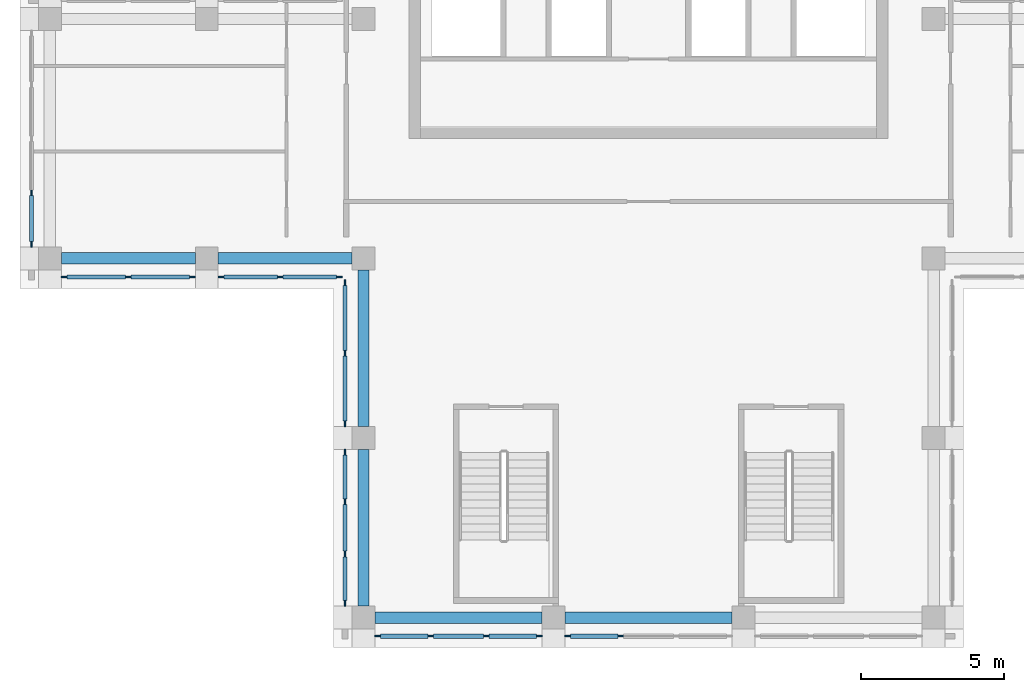
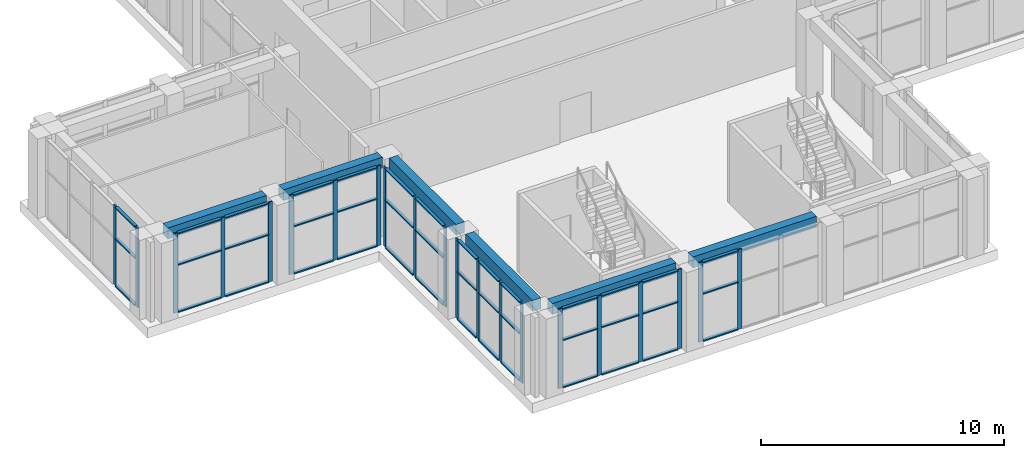
# One storey, part 2 of 14: 63 members, 6 beams, 7 elements without a shape of their own.
"""IFC4 building model written with IfcOpenShell, lengths in metres."""

from ifc_helpers import new_model, si_unit, direction, frame, origin, origin_2d, place, context, subcontext, project, spatial, rectangle, extrude, material, material_profile, profile_set, type_object, element, aggregate, save


model = new_model("IFC4")

# Units and contexts
model_context = context("Model", 3, precision=1e-05, world=origin(), true_north=direction((0.0, 1.0)))
body_context = subcontext(model_context, "Body", "Model", "MODEL_VIEW")
ifc_project = project(units=[si_unit("LENGTHUNIT", "METRE"), si_unit("AREAUNIT", "SQUARE_METRE"), si_unit("VOLUMEUNIT", "CUBIC_METRE"), si_unit("PLANEANGLEUNIT", "RADIAN"), si_unit("MASSUNIT", "GRAM", prefix="KILO")], contexts=[model_context])

# Site, building, storey
site_placement = place(None, origin())
site = spatial("IfcSite", under=ifc_project, at=site_placement, CompositionType="ELEMENT")
building_placement = place(site_placement, origin())
building = spatial("IfcBuilding", under=site, at=building_placement, Name="Vermilion Ogive Tower", CompositionType="ELEMENT")
storey_placement = place(building_placement, frame((0.0, 0.0, 289.35009765625)))
storey = spatial("IfcBuildingStorey", under=building, at=storey_placement, Name="L75", CompositionType="ELEMENT", Elevation=289.35009765625)

# Curtain wall, members
ifc_material_1 = material(Name="Low-iron laminated glazing in aluminium frame", Category="aluminium")
curtain_wall_type = type_object("IfcCurtainWallType", Name="Curtain wall CW3", PredefinedType="NOTDEFINED", material=ifc_material_1)
curtain_wall_1_placement = place(storey_placement, origin())
curtain_wall_1 = element("IfcCurtainWall", 1, at=curtain_wall_1_placement, inside=storey, type_object=curtain_wall_type, Name="CW3 glazing S1", PredefinedType="NOTDEFINED")
ifc_material_2 = material(Name="Aluminium mullion", Category="aluminium")
ifc_material_profile_1 = material_profile(ifc_material_2, rectangle(XDim=0.06005859375, YDim=0.199951171875, at=origin_2d()), Name="AL 60x200")
ifc_profile_set_1 = profile_set([ifc_material_profile_1], Name="Aluminium mullion")
member_type_1 = type_object("IfcMemberType", Name="CW3 mullion 60x200", PredefinedType="MULLION", material=ifc_profile_set_1)
member_1_placement = place(storey_placement, frame((-9.5, -13.25, 0.0), z_axis=(0.0, 0.0, 1.0), x_axis=(0.0, 1.0, 0.0)))
member_1 = element("IfcMember", 2, at=member_1_placement, type_object=member_type_1, Name="CW3-S1 mullion 1", PredefinedType="MULLION", context=body_context, shape_type="SweptSolid", body=[
    extrude(rectangle(XDim=0.06005859375, YDim=0.199951171875, at=origin_2d()), origin(), (0.0, 0.0, 1.0), 4.0),
])
member_2_placement = place(storey_placement, frame((-7.64453125, -13.25, 0.0), z_axis=(0.0, 0.0, 1.0), x_axis=(0.0, 1.0, 0.0)))
member_2 = element("IfcMember", 3, at=member_2_placement, type_object=member_type_1, Name="CW3-S1 mullion 2", PredefinedType="MULLION", context=body_context, shape_type="SweptSolid", body=[
    extrude(rectangle(XDim=0.06005859375, YDim=0.199951171875, at=origin_2d()), origin(), (0.0, 0.0, 1.0), 4.0),
])
member_3_placement = place(storey_placement, frame((-5.68896484375, -13.25, 0.0), z_axis=(0.0, 0.0, 1.0), x_axis=(0.0, 1.0, 0.0)))
member_3 = element("IfcMember", 4, at=member_3_placement, type_object=member_type_1, Name="CW3-S1 mullion 3", PredefinedType="MULLION", context=body_context, shape_type="SweptSolid", body=[
    extrude(rectangle(XDim=0.06005859375, YDim=0.199951171875, at=origin_2d()), origin(), (0.0, 0.0, 1.0), 4.0),
])
member_4_placement = place(storey_placement, frame((-3.833251953125, -13.25, 0.0), z_axis=(0.0, 0.0, 1.0), x_axis=(0.0, 1.0, 0.0)))
member_4 = element("IfcMember", 5, at=member_4_placement, type_object=member_type_1, Name="CW3-S1 mullion 4", PredefinedType="MULLION", context=body_context, shape_type="SweptSolid", body=[
    extrude(rectangle(XDim=0.06005859375, YDim=0.199951171875, at=origin_2d()), origin(), (0.0, 0.0, 1.0), 4.0),
])

curtain_wall_2_placement = place(storey_placement, origin())
curtain_wall_2 = element("IfcCurtainWall", 6, at=curtain_wall_2_placement, inside=storey, type_object=curtain_wall_type, Name="CW3 glazing S2", PredefinedType="NOTDEFINED")
member_5_placement = place(storey_placement, frame((-2.833251953125, -13.25, 0.0), z_axis=(0.0, 0.0, 1.0), x_axis=(0.0, 1.0, 0.0)))
member_5 = element("IfcMember", 7, at=member_5_placement, type_object=member_type_1, Name="CW3-S2 mullion 1", PredefinedType="MULLION", context=body_context, shape_type="SweptSolid", body=[
    extrude(rectangle(XDim=0.06005859375, YDim=0.199951171875, at=origin_2d()), origin(), (0.0, 0.0, 1.0), 4.0),
])
member_6_placement = place(storey_placement, frame((-0.977783203125, -13.25, 0.0), z_axis=(0.0, 0.0, 1.0), x_axis=(0.0, 1.0, 0.0)))
member_6 = element("IfcMember", 8, at=member_6_placement, type_object=member_type_1, Name="CW3-S2 mullion 2", PredefinedType="MULLION", context=body_context, shape_type="SweptSolid", body=[
    extrude(rectangle(XDim=0.06005859375, YDim=0.199951171875, at=origin_2d()), origin(), (0.0, 0.0, 1.0), 4.0),
])

curtain_wall_3_placement = place(storey_placement, origin())
curtain_wall_3 = element("IfcCurtainWall", 9, at=curtain_wall_3_placement, inside=storey, type_object=curtain_wall_type, Name="CW3 glazing W1", PredefinedType="NOTDEFINED")
member_7_placement = place(storey_placement, frame((-21.64990234375, 2.300048828125, 0.0), z_axis=(0.0, 0.0, 1.0), x_axis=(1.0, 0.0, 0.0)))
member_7 = element("IfcMember", 10, at=member_7_placement, type_object=member_type_1, Name="CW3-W1 mullion 4", PredefinedType="MULLION", context=body_context, shape_type="SweptSolid", body=[
    extrude(rectangle(XDim=0.06005859375, YDim=0.199951171875, at=origin_2d()), origin(), (0.0, 0.0, 1.0), 4.0),
])
member_8_placement = place(storey_placement, frame((-21.64990234375, 0.5, 0.0), z_axis=(0.0, 0.0, 1.0), x_axis=(1.0, 0.0, 0.0)))
member_8 = element("IfcMember", 11, at=member_8_placement, type_object=member_type_1, Name="CW3-W1 mullion 5", PredefinedType="MULLION", context=body_context, shape_type="SweptSolid", body=[
    extrude(rectangle(XDim=0.06005859375, YDim=0.199951171875, at=origin_2d()), origin(), (0.0, 0.0, 1.0), 4.0),
])

curtain_wall_4_placement = place(storey_placement, origin())
curtain_wall_4 = element("IfcCurtainWall", 12, at=curtain_wall_4_placement, inside=storey, type_object=curtain_wall_type, Name="CW3 glazing X71", PredefinedType="NOTDEFINED")
member_9_placement = place(storey_placement, frame((-20.5, -0.64990234375, 0.0), z_axis=(0.0, 0.0, 1.0), x_axis=(0.0, 1.0, 0.0)))
member_9 = element("IfcMember", 13, at=member_9_placement, type_object=member_type_1, Name="CW3-X71 mullion 1", PredefinedType="MULLION", context=body_context, shape_type="SweptSolid", body=[
    extrude(rectangle(XDim=0.06005859375, YDim=0.199951171875, at=origin_2d()), origin(), (0.0, 0.0, 1.0), 4.0),
])
member_10_placement = place(storey_placement, frame((-18.25, -0.64990234375, 0.0), z_axis=(0.0, 0.0, 1.0), x_axis=(0.0, 1.0, 0.0)))
member_10 = element("IfcMember", 14, at=member_10_placement, type_object=member_type_1, Name="CW3-X71 mullion 2", PredefinedType="MULLION", context=body_context, shape_type="SweptSolid", body=[
    extrude(rectangle(XDim=0.06005859375, YDim=0.199951171875, at=origin_2d()), origin(), (0.0, 0.0, 1.0), 4.0),
])
member_11_placement = place(storey_placement, frame((-16.0, -0.64990234375, 0.0), z_axis=(0.0, 0.0, 1.0), x_axis=(0.0, 1.0, 0.0)))
member_11 = element("IfcMember", 15, at=member_11_placement, type_object=member_type_1, Name="CW3-X71 mullion 3", PredefinedType="MULLION", context=body_context, shape_type="SweptSolid", body=[
    extrude(rectangle(XDim=0.06005859375, YDim=0.199951171875, at=origin_2d()), origin(), (0.0, 0.0, 1.0), 4.0),
])

curtain_wall_5_placement = place(storey_placement, origin())
curtain_wall_5 = element("IfcCurtainWall", 16, at=curtain_wall_5_placement, inside=storey, type_object=curtain_wall_type, Name="CW3 glazing X72", PredefinedType="NOTDEFINED")
member_12_placement = place(storey_placement, frame((-15.0, -0.64990234375, 0.0), z_axis=(0.0, 0.0, 1.0), x_axis=(0.0, 1.0, 0.0)))
member_12 = element("IfcMember", 17, at=member_12_placement, type_object=member_type_1, Name="CW3-X72 mullion 1", PredefinedType="MULLION", context=body_context, shape_type="SweptSolid", body=[
    extrude(rectangle(XDim=0.06005859375, YDim=0.199951171875, at=origin_2d()), origin(), (0.0, 0.0, 1.0), 4.0),
])
member_13_placement = place(storey_placement, frame((-12.925048828125, -0.64990234375, 0.0), z_axis=(0.0, 0.0, 1.0), x_axis=(0.0, 1.0, 0.0)))
member_13 = element("IfcMember", 18, at=member_13_placement, type_object=member_type_1, Name="CW3-X72 mullion 2", PredefinedType="MULLION", context=body_context, shape_type="SweptSolid", body=[
    extrude(rectangle(XDim=0.06005859375, YDim=0.199951171875, at=origin_2d()), origin(), (0.0, 0.0, 1.0), 4.0),
])
member_14_placement = place(storey_placement, frame((-10.85009765625, -0.64990234375, 0.0), z_axis=(0.0, 0.0, 1.0), x_axis=(0.0, 1.0, 0.0)))
member_14 = element("IfcMember", 19, at=member_14_placement, type_object=member_type_1, Name="CW3-X72 mullion 3", PredefinedType="MULLION", context=body_context, shape_type="SweptSolid", body=[
    extrude(rectangle(XDim=0.06005859375, YDim=0.199951171875, at=origin_2d()), origin(), (0.0, 0.0, 1.0), 4.0),
])

curtain_wall_6_placement = place(storey_placement, origin())
curtain_wall_6 = element("IfcCurtainWall", 20, at=curtain_wall_6_placement, inside=storey, type_object=curtain_wall_type, Name="CW3 glazing X81", PredefinedType="NOTDEFINED")
member_15_placement = place(storey_placement, frame((-10.64990234375, -0.85009765625, 0.0), z_axis=(0.0, 0.0, 1.0), x_axis=(1.0, 0.0, 0.0)))
member_15 = element("IfcMember", 21, at=member_15_placement, type_object=member_type_1, Name="CW3-X81 mullion 1", PredefinedType="MULLION", context=body_context, shape_type="SweptSolid", body=[
    extrude(rectangle(XDim=0.06005859375, YDim=0.199951171875, at=origin_2d()), origin(), (0.0, 0.0, 1.0), 4.0),
])
member_16_placement = place(storey_placement, frame((-10.64990234375, -3.324951171875, 0.0), z_axis=(0.0, 0.0, 1.0), x_axis=(1.0, 0.0, 0.0)))
member_16 = element("IfcMember", 22, at=member_16_placement, type_object=member_type_1, Name="CW3-X81 mullion 2", PredefinedType="MULLION", context=body_context, shape_type="SweptSolid", body=[
    extrude(rectangle(XDim=0.06005859375, YDim=0.199951171875, at=origin_2d()), origin(), (0.0, 0.0, 1.0), 4.0),
])
member_17_placement = place(storey_placement, frame((-10.64990234375, -5.800048828125, 0.0), z_axis=(0.0, 0.0, 1.0), x_axis=(1.0, 0.0, 0.0)))
member_17 = element("IfcMember", 23, at=member_17_placement, type_object=member_type_1, Name="CW3-X81 mullion 3", PredefinedType="MULLION", context=body_context, shape_type="SweptSolid", body=[
    extrude(rectangle(XDim=0.06005859375, YDim=0.199951171875, at=origin_2d()), origin(), (0.0, 0.0, 1.0), 4.0),
])

curtain_wall_7_placement = place(storey_placement, origin())
curtain_wall_7 = element("IfcCurtainWall", 24, at=curtain_wall_7_placement, inside=storey, type_object=curtain_wall_type, Name="CW3 glazing X82", PredefinedType="NOTDEFINED")
member_18_placement = place(storey_placement, frame((-10.64990234375, -6.800048828125, 0.0), z_axis=(0.0, 0.0, 1.0), x_axis=(1.0, 0.0, 0.0)))
member_18 = element("IfcMember", 25, at=member_18_placement, type_object=member_type_1, Name="CW3-X82 mullion 1", PredefinedType="MULLION", context=body_context, shape_type="SweptSolid", body=[
    extrude(rectangle(XDim=0.06005859375, YDim=0.199951171875, at=origin_2d()), origin(), (0.0, 0.0, 1.0), 4.0),
])
member_19_placement = place(storey_placement, frame((-10.64990234375, -8.533447265625, 0.0), z_axis=(0.0, 0.0, 1.0), x_axis=(1.0, 0.0, 0.0)))
member_19 = element("IfcMember", 26, at=member_19_placement, type_object=member_type_1, Name="CW3-X82 mullion 2", PredefinedType="MULLION", context=body_context, shape_type="SweptSolid", body=[
    extrude(rectangle(XDim=0.06005859375, YDim=0.199951171875, at=origin_2d()), origin(), (0.0, 0.0, 1.0), 4.0),
])
member_20_placement = place(storey_placement, frame((-10.64990234375, -10.36669921875, 0.0), z_axis=(0.0, 0.0, 1.0), x_axis=(1.0, 0.0, 0.0)))
member_20 = element("IfcMember", 27, at=member_20_placement, type_object=member_type_1, Name="CW3-X82 mullion 3", PredefinedType="MULLION", context=body_context, shape_type="SweptSolid", body=[
    extrude(rectangle(XDim=0.06005859375, YDim=0.199951171875, at=origin_2d()), origin(), (0.0, 0.0, 1.0), 4.0),
])
member_21_placement = place(storey_placement, frame((-10.64990234375, -12.10009765625, 0.0), z_axis=(0.0, 0.0, 1.0), x_axis=(1.0, 0.0, 0.0)))
member_21 = element("IfcMember", 28, at=member_21_placement, type_object=member_type_1, Name="CW3-X82 mullion 4", PredefinedType="MULLION", context=body_context, shape_type="SweptSolid", body=[
    extrude(rectangle(XDim=0.06005859375, YDim=0.199951171875, at=origin_2d()), origin(), (0.0, 0.0, 1.0), 4.0),
])

# Member
ifc_material_3 = material(Name="Aluminium transom", Category="aluminium")
ifc_material_profile_2 = material_profile(ifc_material_3, rectangle(XDim=0.14990234375, YDim=0.06005859375, at=origin_2d()), Name="AL 60x150")
ifc_profile_set_2 = profile_set([ifc_material_profile_2], Name="Aluminium transom")
member_type_2 = type_object("IfcMemberType", Name="CW3 transom 60x150", PredefinedType="USERDEFINED", material=ifc_profile_set_2)
member_22_placement = place(storey_placement, frame((-9.39990234375, -13.25, 0.02978515625), z_axis=(1.0, 0.0, 0.0), x_axis=(0.0, 1.0, 0.0)))
member_22 = element("IfcMember", 29, at=member_22_placement, type_object=member_type_2, Name="CW3-S1 transom 1.1", ObjectType="TRANSOM", PredefinedType="USERDEFINED", context=body_context, shape_type="SweptSolid", body=[
    extrude(rectangle(XDim=0.14990234375, YDim=0.06005859375, at=origin_2d()), origin(), (0.0, 0.0, 1.0), 1.655517578125),
])

member_23_placement = place(storey_placement, frame((-9.39990234375, -13.25, 2.39990234375), z_axis=(1.0, 0.0, 0.0), x_axis=(0.0, 1.0, 0.0)))
member_23 = element("IfcMember", 30, at=member_23_placement, type_object=member_type_2, Name="CW3-S1 transom 1.2", ObjectType="TRANSOM", PredefinedType="USERDEFINED", context=body_context, shape_type="SweptSolid", body=[
    extrude(rectangle(XDim=0.14990234375, YDim=0.06005859375, at=origin_2d()), origin(), (0.0, 0.0, 1.0), 1.655517578125),
])

member_24_placement = place(storey_placement, frame((-9.39990234375, -13.25, 3.969970703125), z_axis=(1.0, 0.0, 0.0), x_axis=(0.0, 1.0, 0.0)))
member_24 = element("IfcMember", 31, at=member_24_placement, type_object=member_type_2, Name="CW3-S1 transom 1.3", ObjectType="TRANSOM", PredefinedType="USERDEFINED", context=body_context, shape_type="SweptSolid", body=[
    extrude(rectangle(XDim=0.14990234375, YDim=0.06005859375, at=origin_2d()), origin(), (0.0, 0.0, 1.0), 1.655517578125),
])

member_25_placement = place(storey_placement, frame((-7.54443359375, -13.25, 0.02978515625), z_axis=(1.0, 0.0, 0.0), x_axis=(0.0, 1.0, 0.0)))
member_25 = element("IfcMember", 32, at=member_25_placement, type_object=member_type_2, Name="CW3-S1 transom 2.1", ObjectType="TRANSOM", PredefinedType="USERDEFINED", context=body_context, shape_type="SweptSolid", body=[
    extrude(rectangle(XDim=0.14990234375, YDim=0.06005859375, at=origin_2d()), origin(), (0.0, 0.0, 1.0), 1.755615234375),
])

member_26_placement = place(storey_placement, frame((-7.54443359375, -13.25, 2.39990234375), z_axis=(1.0, 0.0, 0.0), x_axis=(0.0, 1.0, 0.0)))
member_26 = element("IfcMember", 33, at=member_26_placement, type_object=member_type_2, Name="CW3-S1 transom 2.2", ObjectType="TRANSOM", PredefinedType="USERDEFINED", context=body_context, shape_type="SweptSolid", body=[
    extrude(rectangle(XDim=0.14990234375, YDim=0.06005859375, at=origin_2d()), origin(), (0.0, 0.0, 1.0), 1.755615234375),
])

member_27_placement = place(storey_placement, frame((-7.54443359375, -13.25, 3.969970703125), z_axis=(1.0, 0.0, 0.0), x_axis=(0.0, 1.0, 0.0)))
member_27 = element("IfcMember", 34, at=member_27_placement, type_object=member_type_2, Name="CW3-S1 transom 2.3", ObjectType="TRANSOM", PredefinedType="USERDEFINED", context=body_context, shape_type="SweptSolid", body=[
    extrude(rectangle(XDim=0.14990234375, YDim=0.06005859375, at=origin_2d()), origin(), (0.0, 0.0, 1.0), 1.755615234375),
])

member_28_placement = place(storey_placement, frame((-5.5888671875, -13.25, 0.02978515625), z_axis=(1.0, 0.0, 0.0), x_axis=(0.0, 1.0, 0.0)))
member_28 = element("IfcMember", 35, at=member_28_placement, type_object=member_type_2, Name="CW3-S1 transom 3.1", ObjectType="TRANSOM", PredefinedType="USERDEFINED", context=body_context, shape_type="SweptSolid", body=[
    extrude(rectangle(XDim=0.14990234375, YDim=0.06005859375, at=origin_2d()), origin(), (0.0, 0.0, 1.0), 1.655517578125),
])

member_29_placement = place(storey_placement, frame((-5.5888671875, -13.25, 2.39990234375), z_axis=(1.0, 0.0, 0.0), x_axis=(0.0, 1.0, 0.0)))
member_29 = element("IfcMember", 36, at=member_29_placement, type_object=member_type_2, Name="CW3-S1 transom 3.2", ObjectType="TRANSOM", PredefinedType="USERDEFINED", context=body_context, shape_type="SweptSolid", body=[
    extrude(rectangle(XDim=0.14990234375, YDim=0.06005859375, at=origin_2d()), origin(), (0.0, 0.0, 1.0), 1.655517578125),
])

member_30_placement = place(storey_placement, frame((-5.5888671875, -13.25, 3.969970703125), z_axis=(1.0, 0.0, 0.0), x_axis=(0.0, 1.0, 0.0)))
member_30 = element("IfcMember", 37, at=member_30_placement, type_object=member_type_2, Name="CW3-S1 transom 3.3", ObjectType="TRANSOM", PredefinedType="USERDEFINED", context=body_context, shape_type="SweptSolid", body=[
    extrude(rectangle(XDim=0.14990234375, YDim=0.06005859375, at=origin_2d()), origin(), (0.0, 0.0, 1.0), 1.655517578125),
])

aggregate(curtain_wall_1, [member_1, member_2, member_3, member_4, member_22, member_23, member_24, member_25, member_26, member_27, member_28, member_29, member_30])

member_31_placement = place(storey_placement, frame((-2.7333984375, -13.25, 0.02978515625), z_axis=(1.0, 0.0, 0.0), x_axis=(0.0, 1.0, 0.0)))
member_31 = element("IfcMember", 38, at=member_31_placement, type_object=member_type_2, Name="CW3-S2 transom 1.1", ObjectType="TRANSOM", PredefinedType="USERDEFINED", context=body_context, shape_type="SweptSolid", body=[
    extrude(rectangle(XDim=0.14990234375, YDim=0.06005859375, at=origin_2d()), origin(), (0.0, 0.0, 1.0), 1.655517578125),
])

member_32_placement = place(storey_placement, frame((-2.7333984375, -13.25, 2.39990234375), z_axis=(1.0, 0.0, 0.0), x_axis=(0.0, 1.0, 0.0)))
member_32 = element("IfcMember", 39, at=member_32_placement, type_object=member_type_2, Name="CW3-S2 transom 1.2", ObjectType="TRANSOM", PredefinedType="USERDEFINED", context=body_context, shape_type="SweptSolid", body=[
    extrude(rectangle(XDim=0.14990234375, YDim=0.06005859375, at=origin_2d()), origin(), (0.0, 0.0, 1.0), 1.655517578125),
])

member_33_placement = place(storey_placement, frame((-2.7333984375, -13.25, 3.969970703125), z_axis=(1.0, 0.0, 0.0), x_axis=(0.0, 1.0, 0.0)))
member_33 = element("IfcMember", 40, at=member_33_placement, type_object=member_type_2, Name="CW3-S2 transom 1.3", ObjectType="TRANSOM", PredefinedType="USERDEFINED", context=body_context, shape_type="SweptSolid", body=[
    extrude(rectangle(XDim=0.14990234375, YDim=0.06005859375, at=origin_2d()), origin(), (0.0, 0.0, 1.0), 1.655517578125),
])

aggregate(curtain_wall_2, [member_5, member_6, member_31, member_32, member_33])

member_34_placement = place(storey_placement, frame((-21.64990234375, 2.199951171875, 0.02978515625), z_axis=(0.0, -1.0, 0.0), x_axis=(1.0, 0.0, 0.0)))
member_34 = element("IfcMember", 41, at=member_34_placement, type_object=member_type_2, Name="CW3-W1 transom 4.1", ObjectType="TRANSOM", PredefinedType="USERDEFINED", context=body_context, shape_type="SweptSolid", body=[
    extrude(rectangle(XDim=0.14990234375, YDim=0.06005859375, at=origin_2d()), origin(), (0.0, 0.0, 1.0), 1.599853515625),
])

member_35_placement = place(storey_placement, frame((-21.64990234375, 2.199951171875, 2.39990234375), z_axis=(0.0, -1.0, 0.0), x_axis=(1.0, 0.0, 0.0)))
member_35 = element("IfcMember", 42, at=member_35_placement, type_object=member_type_2, Name="CW3-W1 transom 4.2", ObjectType="TRANSOM", PredefinedType="USERDEFINED", context=body_context, shape_type="SweptSolid", body=[
    extrude(rectangle(XDim=0.14990234375, YDim=0.06005859375, at=origin_2d()), origin(), (0.0, 0.0, 1.0), 1.599853515625),
])

member_36_placement = place(storey_placement, frame((-21.64990234375, 2.199951171875, 3.969970703125), z_axis=(0.0, -1.0, 0.0), x_axis=(1.0, 0.0, 0.0)))
member_36 = element("IfcMember", 43, at=member_36_placement, type_object=member_type_2, Name="CW3-W1 transom 4.3", ObjectType="TRANSOM", PredefinedType="USERDEFINED", context=body_context, shape_type="SweptSolid", body=[
    extrude(rectangle(XDim=0.14990234375, YDim=0.06005859375, at=origin_2d()), origin(), (0.0, 0.0, 1.0), 1.599853515625),
])

aggregate(curtain_wall_3, [member_7, member_8, member_34, member_35, member_36])

member_37_placement = place(storey_placement, frame((-20.39990234375, -0.64990234375, 0.02978515625), z_axis=(1.0, 0.0, 0.0), x_axis=(0.0, 1.0, 0.0)))
member_37 = element("IfcMember", 44, at=member_37_placement, type_object=member_type_2, Name="CW3-X71 transom 1.1", ObjectType="TRANSOM", PredefinedType="USERDEFINED", context=body_context, shape_type="SweptSolid", body=[
    extrude(rectangle(XDim=0.14990234375, YDim=0.06005859375, at=origin_2d()), origin(), (0.0, 0.0, 1.0), 2.0498046875),
])

member_38_placement = place(storey_placement, frame((-20.39990234375, -0.64990234375, 2.39990234375), z_axis=(1.0, 0.0, 0.0), x_axis=(0.0, 1.0, 0.0)))
member_38 = element("IfcMember", 45, at=member_38_placement, type_object=member_type_2, Name="CW3-X71 transom 1.2", ObjectType="TRANSOM", PredefinedType="USERDEFINED", context=body_context, shape_type="SweptSolid", body=[
    extrude(rectangle(XDim=0.14990234375, YDim=0.06005859375, at=origin_2d()), origin(), (0.0, 0.0, 1.0), 2.0498046875),
])

member_39_placement = place(storey_placement, frame((-20.39990234375, -0.64990234375, 3.969970703125), z_axis=(1.0, 0.0, 0.0), x_axis=(0.0, 1.0, 0.0)))
member_39 = element("IfcMember", 46, at=member_39_placement, type_object=member_type_2, Name="CW3-X71 transom 1.3", ObjectType="TRANSOM", PredefinedType="USERDEFINED", context=body_context, shape_type="SweptSolid", body=[
    extrude(rectangle(XDim=0.14990234375, YDim=0.06005859375, at=origin_2d()), origin(), (0.0, 0.0, 1.0), 2.0498046875),
])

member_40_placement = place(storey_placement, frame((-18.14990234375, -0.64990234375, 0.02978515625), z_axis=(1.0, 0.0, 0.0), x_axis=(0.0, 1.0, 0.0)))
member_40 = element("IfcMember", 47, at=member_40_placement, type_object=member_type_2, Name="CW3-X71 transom 2.1", ObjectType="TRANSOM", PredefinedType="USERDEFINED", context=body_context, shape_type="SweptSolid", body=[
    extrude(rectangle(XDim=0.14990234375, YDim=0.06005859375, at=origin_2d()), origin(), (0.0, 0.0, 1.0), 2.0498046875),
])

member_41_placement = place(storey_placement, frame((-18.14990234375, -0.64990234375, 2.39990234375), z_axis=(1.0, 0.0, 0.0), x_axis=(0.0, 1.0, 0.0)))
member_41 = element("IfcMember", 48, at=member_41_placement, type_object=member_type_2, Name="CW3-X71 transom 2.2", ObjectType="TRANSOM", PredefinedType="USERDEFINED", context=body_context, shape_type="SweptSolid", body=[
    extrude(rectangle(XDim=0.14990234375, YDim=0.06005859375, at=origin_2d()), origin(), (0.0, 0.0, 1.0), 2.0498046875),
])

member_42_placement = place(storey_placement, frame((-18.14990234375, -0.64990234375, 3.969970703125), z_axis=(1.0, 0.0, 0.0), x_axis=(0.0, 1.0, 0.0)))
member_42 = element("IfcMember", 49, at=member_42_placement, type_object=member_type_2, Name="CW3-X71 transom 2.3", ObjectType="TRANSOM", PredefinedType="USERDEFINED", context=body_context, shape_type="SweptSolid", body=[
    extrude(rectangle(XDim=0.14990234375, YDim=0.06005859375, at=origin_2d()), origin(), (0.0, 0.0, 1.0), 2.0498046875),
])

aggregate(curtain_wall_4, [member_9, member_10, member_11, member_37, member_38, member_39, member_40, member_41, member_42])

member_43_placement = place(storey_placement, frame((-14.89990234375, -0.64990234375, 0.02978515625), z_axis=(1.0, 0.0, 0.0), x_axis=(0.0, 1.0, 0.0)))
member_43 = element("IfcMember", 50, at=member_43_placement, type_object=member_type_2, Name="CW3-X72 transom 1.1", ObjectType="TRANSOM", PredefinedType="USERDEFINED", context=body_context, shape_type="SweptSolid", body=[
    extrude(rectangle(XDim=0.14990234375, YDim=0.06005859375, at=origin_2d()), origin(), (0.0, 0.0, 1.0), 1.875),
])

member_44_placement = place(storey_placement, frame((-14.89990234375, -0.64990234375, 2.39990234375), z_axis=(1.0, 0.0, 0.0), x_axis=(0.0, 1.0, 0.0)))
member_44 = element("IfcMember", 51, at=member_44_placement, type_object=member_type_2, Name="CW3-X72 transom 1.2", ObjectType="TRANSOM", PredefinedType="USERDEFINED", context=body_context, shape_type="SweptSolid", body=[
    extrude(rectangle(XDim=0.14990234375, YDim=0.06005859375, at=origin_2d()), origin(), (0.0, 0.0, 1.0), 1.875),
])

member_45_placement = place(storey_placement, frame((-14.89990234375, -0.64990234375, 3.969970703125), z_axis=(1.0, 0.0, 0.0), x_axis=(0.0, 1.0, 0.0)))
member_45 = element("IfcMember", 52, at=member_45_placement, type_object=member_type_2, Name="CW3-X72 transom 1.3", ObjectType="TRANSOM", PredefinedType="USERDEFINED", context=body_context, shape_type="SweptSolid", body=[
    extrude(rectangle(XDim=0.14990234375, YDim=0.06005859375, at=origin_2d()), origin(), (0.0, 0.0, 1.0), 1.875),
])

member_46_placement = place(storey_placement, frame((-12.824951171875, -0.64990234375, 0.02978515625), z_axis=(1.0, 0.0, 0.0), x_axis=(0.0, 1.0, 0.0)))
member_46 = element("IfcMember", 53, at=member_46_placement, type_object=member_type_2, Name="CW3-X72 transom 2.1", ObjectType="TRANSOM", PredefinedType="USERDEFINED", context=body_context, shape_type="SweptSolid", body=[
    extrude(rectangle(XDim=0.14990234375, YDim=0.06005859375, at=origin_2d()), origin(), (0.0, 0.0, 1.0), 1.875),
])

member_47_placement = place(storey_placement, frame((-12.824951171875, -0.64990234375, 2.39990234375), z_axis=(1.0, 0.0, 0.0), x_axis=(0.0, 1.0, 0.0)))
member_47 = element("IfcMember", 54, at=member_47_placement, type_object=member_type_2, Name="CW3-X72 transom 2.2", ObjectType="TRANSOM", PredefinedType="USERDEFINED", context=body_context, shape_type="SweptSolid", body=[
    extrude(rectangle(XDim=0.14990234375, YDim=0.06005859375, at=origin_2d()), origin(), (0.0, 0.0, 1.0), 1.875),
])

member_48_placement = place(storey_placement, frame((-12.824951171875, -0.64990234375, 3.969970703125), z_axis=(1.0, 0.0, 0.0), x_axis=(0.0, 1.0, 0.0)))
member_48 = element("IfcMember", 55, at=member_48_placement, type_object=member_type_2, Name="CW3-X72 transom 2.3", ObjectType="TRANSOM", PredefinedType="USERDEFINED", context=body_context, shape_type="SweptSolid", body=[
    extrude(rectangle(XDim=0.14990234375, YDim=0.06005859375, at=origin_2d()), origin(), (0.0, 0.0, 1.0), 1.875),
])

aggregate(curtain_wall_5, [member_12, member_13, member_14, member_43, member_44, member_45, member_46, member_47, member_48])

member_49_placement = place(storey_placement, frame((-10.64990234375, -0.949951171875, 0.02978515625), z_axis=(0.0, -1.0, 0.0), x_axis=(1.0, 0.0, 0.0)))
member_49 = element("IfcMember", 56, at=member_49_placement, type_object=member_type_2, Name="CW3-X81 transom 1.1", ObjectType="TRANSOM", PredefinedType="USERDEFINED", context=body_context, shape_type="SweptSolid", body=[
    extrude(rectangle(XDim=0.14990234375, YDim=0.06005859375, at=origin_2d()), origin(), (0.0, 0.0, 1.0), 2.275146484375),
])

member_50_placement = place(storey_placement, frame((-10.64990234375, -0.949951171875, 2.39990234375), z_axis=(0.0, -1.0, 0.0), x_axis=(1.0, 0.0, 0.0)))
member_50 = element("IfcMember", 57, at=member_50_placement, type_object=member_type_2, Name="CW3-X81 transom 1.2", ObjectType="TRANSOM", PredefinedType="USERDEFINED", context=body_context, shape_type="SweptSolid", body=[
    extrude(rectangle(XDim=0.14990234375, YDim=0.06005859375, at=origin_2d()), origin(), (0.0, 0.0, 1.0), 2.275146484375),
])

member_51_placement = place(storey_placement, frame((-10.64990234375, -0.949951171875, 3.969970703125), z_axis=(0.0, -1.0, 0.0), x_axis=(1.0, 0.0, 0.0)))
member_51 = element("IfcMember", 58, at=member_51_placement, type_object=member_type_2, Name="CW3-X81 transom 1.3", ObjectType="TRANSOM", PredefinedType="USERDEFINED", context=body_context, shape_type="SweptSolid", body=[
    extrude(rectangle(XDim=0.14990234375, YDim=0.06005859375, at=origin_2d()), origin(), (0.0, 0.0, 1.0), 2.275146484375),
])

member_52_placement = place(storey_placement, frame((-10.64990234375, -3.425048828125, 0.02978515625), z_axis=(0.0, -1.0, 0.0), x_axis=(1.0, 0.0, 0.0)))
member_52 = element("IfcMember", 59, at=member_52_placement, type_object=member_type_2, Name="CW3-X81 transom 2.1", ObjectType="TRANSOM", PredefinedType="USERDEFINED", context=body_context, shape_type="SweptSolid", body=[
    extrude(rectangle(XDim=0.14990234375, YDim=0.06005859375, at=origin_2d()), origin(), (0.0, 0.0, 1.0), 2.27490234375),
])

member_53_placement = place(storey_placement, frame((-10.64990234375, -3.425048828125, 2.39990234375), z_axis=(0.0, -1.0, 0.0), x_axis=(1.0, 0.0, 0.0)))
member_53 = element("IfcMember", 60, at=member_53_placement, type_object=member_type_2, Name="CW3-X81 transom 2.2", ObjectType="TRANSOM", PredefinedType="USERDEFINED", context=body_context, shape_type="SweptSolid", body=[
    extrude(rectangle(XDim=0.14990234375, YDim=0.06005859375, at=origin_2d()), origin(), (0.0, 0.0, 1.0), 2.27490234375),
])

member_54_placement = place(storey_placement, frame((-10.64990234375, -3.425048828125, 3.969970703125), z_axis=(0.0, -1.0, 0.0), x_axis=(1.0, 0.0, 0.0)))
member_54 = element("IfcMember", 61, at=member_54_placement, type_object=member_type_2, Name="CW3-X81 transom 2.3", ObjectType="TRANSOM", PredefinedType="USERDEFINED", context=body_context, shape_type="SweptSolid", body=[
    extrude(rectangle(XDim=0.14990234375, YDim=0.06005859375, at=origin_2d()), origin(), (0.0, 0.0, 1.0), 2.27490234375),
])

aggregate(curtain_wall_6, [member_15, member_16, member_17, member_49, member_50, member_51, member_52, member_53, member_54])

member_55_placement = place(storey_placement, frame((-10.64990234375, -6.89990234375, 0.02978515625), z_axis=(0.0, -1.0, 0.0), x_axis=(1.0, 0.0, 0.0)))
member_55 = element("IfcMember", 62, at=member_55_placement, type_object=member_type_2, Name="CW3-X82 transom 1.1", ObjectType="TRANSOM", PredefinedType="USERDEFINED", context=body_context, shape_type="SweptSolid", body=[
    extrude(rectangle(XDim=0.14990234375, YDim=0.06005859375, at=origin_2d()), origin(), (0.0, 0.0, 1.0), 1.533447265625),
])

member_56_placement = place(storey_placement, frame((-10.64990234375, -6.89990234375, 2.39990234375), z_axis=(0.0, -1.0, 0.0), x_axis=(1.0, 0.0, 0.0)))
member_56 = element("IfcMember", 63, at=member_56_placement, type_object=member_type_2, Name="CW3-X82 transom 1.2", ObjectType="TRANSOM", PredefinedType="USERDEFINED", context=body_context, shape_type="SweptSolid", body=[
    extrude(rectangle(XDim=0.14990234375, YDim=0.06005859375, at=origin_2d()), origin(), (0.0, 0.0, 1.0), 1.533447265625),
])

member_57_placement = place(storey_placement, frame((-10.64990234375, -6.89990234375, 3.969970703125), z_axis=(0.0, -1.0, 0.0), x_axis=(1.0, 0.0, 0.0)))
member_57 = element("IfcMember", 64, at=member_57_placement, type_object=member_type_2, Name="CW3-X82 transom 1.3", ObjectType="TRANSOM", PredefinedType="USERDEFINED", context=body_context, shape_type="SweptSolid", body=[
    extrude(rectangle(XDim=0.14990234375, YDim=0.06005859375, at=origin_2d()), origin(), (0.0, 0.0, 1.0), 1.533447265625),
])

member_58_placement = place(storey_placement, frame((-10.64990234375, -8.63330078125, 0.02978515625), z_axis=(0.0, -1.0, 0.0), x_axis=(1.0, 0.0, 0.0)))
member_58 = element("IfcMember", 65, at=member_58_placement, type_object=member_type_2, Name="CW3-X82 transom 2.1", ObjectType="TRANSOM", PredefinedType="USERDEFINED", context=body_context, shape_type="SweptSolid", body=[
    extrude(rectangle(XDim=0.14990234375, YDim=0.06005859375, at=origin_2d()), origin(), (0.0, 0.0, 1.0), 1.63330078125),
])

member_59_placement = place(storey_placement, frame((-10.64990234375, -8.63330078125, 2.39990234375), z_axis=(0.0, -1.0, 0.0), x_axis=(1.0, 0.0, 0.0)))
member_59 = element("IfcMember", 66, at=member_59_placement, type_object=member_type_2, Name="CW3-X82 transom 2.2", ObjectType="TRANSOM", PredefinedType="USERDEFINED", context=body_context, shape_type="SweptSolid", body=[
    extrude(rectangle(XDim=0.14990234375, YDim=0.06005859375, at=origin_2d()), origin(), (0.0, 0.0, 1.0), 1.63330078125),
])

member_60_placement = place(storey_placement, frame((-10.64990234375, -8.63330078125, 3.969970703125), z_axis=(0.0, -1.0, 0.0), x_axis=(1.0, 0.0, 0.0)))
member_60 = element("IfcMember", 67, at=member_60_placement, type_object=member_type_2, Name="CW3-X82 transom 2.3", ObjectType="TRANSOM", PredefinedType="USERDEFINED", context=body_context, shape_type="SweptSolid", body=[
    extrude(rectangle(XDim=0.14990234375, YDim=0.06005859375, at=origin_2d()), origin(), (0.0, 0.0, 1.0), 1.63330078125),
])

member_61_placement = place(storey_placement, frame((-10.64990234375, -10.466552734375, 0.02978515625), z_axis=(0.0, -1.0, 0.0), x_axis=(1.0, 0.0, 0.0)))
member_61 = element("IfcMember", 68, at=member_61_placement, type_object=member_type_2, Name="CW3-X82 transom 3.1", ObjectType="TRANSOM", PredefinedType="USERDEFINED", context=body_context, shape_type="SweptSolid", body=[
    extrude(rectangle(XDim=0.14990234375, YDim=0.06005859375, at=origin_2d()), origin(), (0.0, 0.0, 1.0), 1.533447265625),
])

member_62_placement = place(storey_placement, frame((-10.64990234375, -10.466552734375, 2.39990234375), z_axis=(0.0, -1.0, 0.0), x_axis=(1.0, 0.0, 0.0)))
member_62 = element("IfcMember", 69, at=member_62_placement, type_object=member_type_2, Name="CW3-X82 transom 3.2", ObjectType="TRANSOM", PredefinedType="USERDEFINED", context=body_context, shape_type="SweptSolid", body=[
    extrude(rectangle(XDim=0.14990234375, YDim=0.06005859375, at=origin_2d()), origin(), (0.0, 0.0, 1.0), 1.533447265625),
])

member_63_placement = place(storey_placement, frame((-10.64990234375, -10.466552734375, 3.969970703125), z_axis=(0.0, -1.0, 0.0), x_axis=(1.0, 0.0, 0.0)))
member_63 = element("IfcMember", 70, at=member_63_placement, type_object=member_type_2, Name="CW3-X82 transom 3.3", ObjectType="TRANSOM", PredefinedType="USERDEFINED", context=body_context, shape_type="SweptSolid", body=[
    extrude(rectangle(XDim=0.14990234375, YDim=0.06005859375, at=origin_2d()), origin(), (0.0, 0.0, 1.0), 1.533447265625),
])

aggregate(curtain_wall_7, [member_18, member_19, member_20, member_21, member_55, member_56, member_57, member_58, member_59, member_60, member_61, member_62, member_63])

# Beams
ifc_material_4 = material(Name="Concrete B45", Category="concrete")
ifc_material_profile_3 = material_profile(ifc_material_4, rectangle(XDim=0.39990234375, YDim=0.550048828125, at=origin_2d()), Name="400 x 550")
ifc_profile_set_3 = profile_set([ifc_material_profile_3], Name="Concrete B45")
beam_type = type_object("IfcBeamType", Name="Edge beam 400 x 550 B45", PredefinedType="BEAM", material=ifc_profile_set_3)
for number, where, z_axis, x_axis, name in (
    (71, (-9.60009765625, -12.60009765625, 3.724853515625), (1.0, 0.0, 0.0), (0.0, 1.0, 0.0), "L75-EB-1"),
    (72, (-2.933349609375, -12.60009765625, 3.724853515625), (1.0, 0.0, 0.0), (0.0, 1.0, 0.0), "L75-EB-2"),
):
    element("IfcBeam", number, at=place(storey_placement, frame(where, z_axis=z_axis, x_axis=x_axis)), inside=storey, type_object=beam_type, Name=name, PredefinedType="BEAM", context=body_context, shape_type="SweptSolid", body=[
        extrude(rectangle(XDim=0.39990234375, YDim=0.550048828125, at=origin_2d()), origin(), (0.0, 0.0, 1.0), 5.86669921875),
    ])
for number, where, z_axis, x_axis, name in (
    (73, (-20.60009765625, 0.0, 3.724853515625), (1.0, 0.0, 0.0), (0.0, 1.0, 0.0), "L75-EB-14"),
    (74, (-15.10009765625, 0.0, 3.724853515625), (1.0, 0.0, 0.0), (0.0, 1.0, 0.0), "L75-EB-15"),
):
    element("IfcBeam", number, at=place(storey_placement, frame(where, z_axis=z_axis, x_axis=x_axis)), inside=storey, type_object=beam_type, Name=name, PredefinedType="BEAM", context=body_context, shape_type="SweptSolid", body=[
        extrude(rectangle(XDim=0.39990234375, YDim=0.550048828125, at=origin_2d()), origin(), (0.0, 0.0, 1.0), 4.7001953125),
    ])
for number, where, z_axis, x_axis, name in (
    (75, (-10.0, -0.39990234375, 3.724853515625), (0.0, -1.0, 0.0), (1.0, 0.0, 0.0), "L75-EB-16"),
    (76, (-10.0, -6.699951171875, 3.724853515625), (0.0, -1.0, 0.0), (1.0, 0.0, 0.0), "L75-EB-17"),
):
    element("IfcBeam", number, at=place(storey_placement, frame(where, z_axis=z_axis, x_axis=x_axis)), inside=storey, type_object=beam_type, Name=name, PredefinedType="BEAM", context=body_context, shape_type="SweptSolid", body=[
        extrude(rectangle(XDim=0.39990234375, YDim=0.550048828125, at=origin_2d()), origin(), (0.0, 0.0, 1.0), 5.5),
    ])

save(model, "model.ifc")
